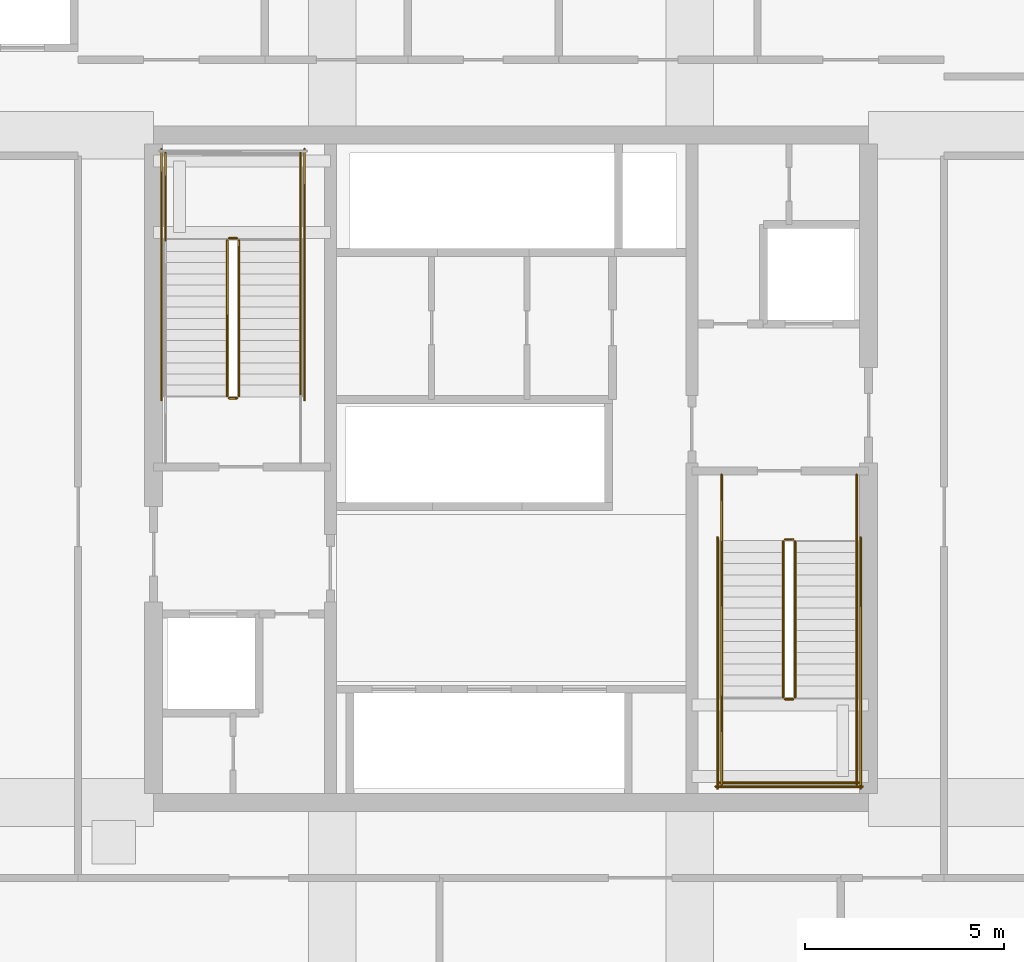
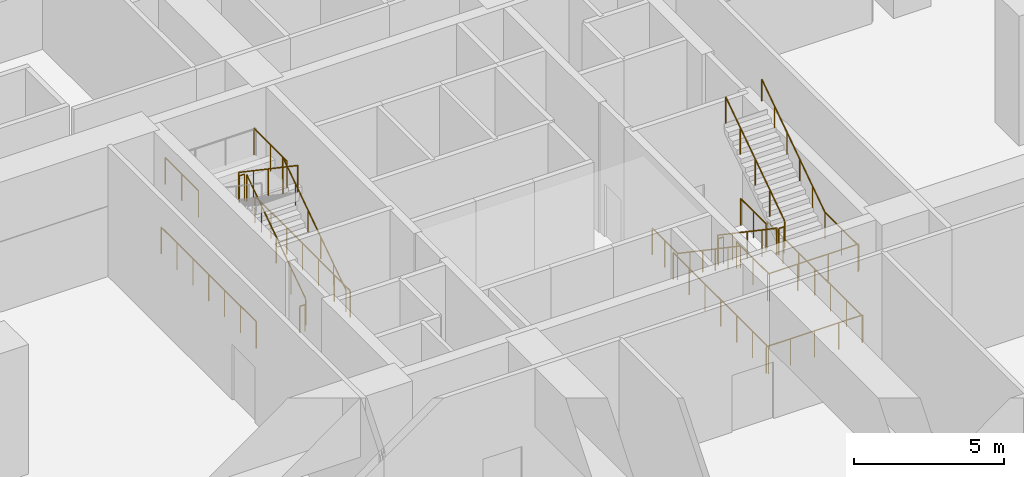
# One storey, part 8 of 9: 23 railings.
"""IFC4 building model written with IfcOpenShell, lengths in metres."""

from ifc_helpers import new_model, si_unit, direction, frame, origin, origin_2d, place, context, subcontext, project, spatial, circle, extrude, material, type_object, element, save


model = new_model("IFC4")

# Units and contexts
model_context = context("Model", 3, precision=1e-05, world=origin(), true_north=direction((0.0, 1.0)))
body_context = subcontext(model_context, "Body", "Model", "MODEL_VIEW")
ifc_project = project(units=[si_unit("LENGTHUNIT", "METRE"), si_unit("AREAUNIT", "SQUARE_METRE"), si_unit("VOLUMEUNIT", "CUBIC_METRE"), si_unit("PLANEANGLEUNIT", "RADIAN"), si_unit("MASSUNIT", "GRAM", prefix="KILO")], contexts=[model_context])

# Site, building, storey
site_placement = place(None, origin())
site = spatial("IfcSite", under=ifc_project, at=site_placement, CompositionType="ELEMENT")
building_placement = place(site_placement, origin())
building = spatial("IfcBuilding", under=site, at=building_placement, Name="Serunith Strait Residences", CompositionType="ELEMENT")
storey_placement = place(building_placement, frame((0.0, 0.0, 21.0)))
storey = spatial("IfcBuildingStorey", under=building, at=storey_placement, Name="L04", CompositionType="ELEMENT", Elevation=21.0)

# Railings
ifc_material = material(Name="Brushed stainless steel 316L", Category="steel")
railing_type_1 = type_object("IfcRailingType", Name="RLG-STAIR-GUARD", PredefinedType="BALUSTRADE", material=ifc_material)
railing_1_placement = place(storey_placement, frame((25.550048828125, 27.030029296875, 0.18994140625)))
element("IfcRailing", 1, at=railing_1_placement, inside=storey, type_object=railing_type_1, Name="L04 ST-1 stair guard 1", PredefinedType="BALUSTRADE", context=body_context, shape_type="SweptSolid", body=[
    extrude(circle(Radius=0.02392578125, at=origin_2d()), frame((0.0, 0.001708984375, 1.0771484375), z_axis=(0.0, 0.827455249626, 0.561531664171), x_axis=(-1.0, 0.0, 0.0)), (0.0, 0.0, 1.0), 4.7333984375),
    extrude(circle(Radius=0.02099609375, at=origin_2d()), origin(), (0.0, 0.0, 1.0), 1.050048828125),
    extrude(circle(Radius=0.02099609375, at=origin_2d()), frame((0.0, 0.97998046875, 0.6650390625)), (0.0, 0.0, 1.0), 1.050048828125),
    extrude(circle(Radius=0.02099609375, at=origin_2d()), frame((0.0, 1.9599609375, 1.330078125)), (0.0, 0.0, 1.0), 1.050048828125),
    extrude(circle(Radius=0.02099609375, at=origin_2d()), frame((0.0, 2.93994140625, 1.9951171875)), (0.0, 0.0, 1.0), 1.050048828125),
    extrude(circle(Radius=0.02099609375, at=origin_2d()), frame((0.0, 3.919921875, 2.66015625)), (0.0, 0.0, 1.0), 1.050048828125),
])
railing_2_placement = place(storey_placement, frame((25.5, 31.0, 2.85009765625)))
element("IfcRailing", 2, at=railing_2_placement, inside=storey, type_object=railing_type_1, Name="L04 ST-1 stair guard 2", PredefinedType="BALUSTRADE", context=body_context, shape_type="SweptSolid", body=[
    extrude(circle(Radius=0.02392578125, at=origin_2d()), frame((-0.001953125, 0.0, 1.076171875), z_axis=(-1.0, 0.0, 0.0), x_axis=(0.0, -1.0, 0.0)), (0.0, 0.0, 1.0), 0.196044921875),
    extrude(circle(Radius=0.02099609375, at=origin_2d()), origin(), (0.0, 0.0, 1.0), 1.050048828125),
    extrude(circle(Radius=0.02099609375, at=origin_2d()), frame((-0.199951171875, 0.0, 0.0)), (0.0, 0.0, 1.0), 1.050048828125),
])
for number, where, name in (
    (3, (27.10009765625, 30.949951171875, 2.85009765625), "L04 ST-1 stair guard 3"),
    (4, (23.699951171875, 30.949951171875, 2.85009765625), "L04 ST-1 stair guard 4"),
):
    element("IfcRailing", number, at=place(storey_placement, frame(where)), inside=storey, type_object=railing_type_1, Name=name, PredefinedType="BALUSTRADE", context=body_context, shape_type="SweptSolid", body=[
        extrude(circle(Radius=0.02392578125, at=origin_2d()), frame((0.0, 0.001953125, 1.076171875), z_axis=(0.0, 1.0, 0.0), x_axis=(-1.0, 0.0, 0.0)), (0.0, 0.0, 1.0), 2.196044921875),
        extrude(circle(Radius=0.02099609375, at=origin_2d()), origin(), (0.0, 0.0, 1.0), 1.050048828125),
        extrude(circle(Radius=0.02099609375, at=origin_2d()), frame((0.0, 1.10009765625, 0.0)), (0.0, 0.0, 1.0), 1.050048828125),
        extrude(circle(Radius=0.02099609375, at=origin_2d()), frame((0.0, 2.199951171875, 0.0)), (0.0, 0.0, 1.0), 1.050048828125),
    ])
railing_3_placement = place(storey_placement, frame((25.25, 30.949951171875, 3.0400390625)))
element("IfcRailing", 5, at=railing_3_placement, inside=storey, type_object=railing_type_1, Name="L04 ST-1 stair guard 6", PredefinedType="BALUSTRADE", context=body_context, shape_type="SweptSolid", body=[
    extrude(circle(Radius=0.02392578125, at=origin_2d()), frame((0.0, -0.001708984375, 1.0771484375), z_axis=(0.0, -0.827479195178, 0.561496377146), x_axis=(1.0, 0.0, 0.0)), (0.0, 0.0, 1.0), 4.733154296875),
    extrude(circle(Radius=0.02099609375, at=origin_2d()), origin(), (0.0, 0.0, 1.0), 1.050048828125),
    extrude(circle(Radius=0.02099609375, at=origin_2d()), frame((0.0, -0.97998046875, 0.6650390625)), (0.0, 0.0, 1.0), 1.050048828125),
    extrude(circle(Radius=0.02099609375, at=origin_2d()), frame((0.0, -1.9599609375, 1.330078125)), (0.0, 0.0, 1.0), 1.050048828125),
    extrude(circle(Radius=0.02099609375, at=origin_2d()), frame((0.0, -2.93994140625, 1.994873046875)), (0.0, 0.0, 1.0), 1.050048828125),
    extrude(circle(Radius=0.02099609375, at=origin_2d()), frame((0.0, -3.919921875, 2.659912109375)), (0.0, 0.0, 1.0), 1.050048828125),
])
railing_4_placement = place(storey_placement, frame((25.5, 26.97998046875, 0.0)))
element("IfcRailing", 6, at=railing_4_placement, inside=storey, type_object=railing_type_1, Name="L04 ST-1 stair guard 7", PredefinedType="BALUSTRADE", context=body_context, shape_type="SweptSolid", body=[
    extrude(circle(Radius=0.02392578125, at=origin_2d()), frame((-0.001953125, 0.0, 1.076171875), z_axis=(-1.0, 0.0, 0.0), x_axis=(0.0, -1.0, 0.0)), (0.0, 0.0, 1.0), 0.196044921875),
    extrude(circle(Radius=0.02099609375, at=origin_2d()), origin(), (0.0, 0.0, 1.0), 1.050048828125),
    extrude(circle(Radius=0.02099609375, at=origin_2d()), frame((-0.199951171875, 0.0, 0.0)), (0.0, 0.0, 1.0), 1.050048828125),
])
for number, where, name in (
    (7, (27.199951171875, 26.929931640625, 0.0), "L04 ST-1 stair guard 10"),
    (8, (23.60009765625, 26.929931640625, 0.0), "L04 ST-1 stair guard 11"),
):
    element("IfcRailing", number, at=place(storey_placement, frame(where)), inside=storey, type_object=railing_type_1, Name=name, PredefinedType="BALUSTRADE", context=body_context, shape_type="SweptSolid", body=[
        extrude(circle(Radius=0.02392578125, at=origin_2d()), frame((0.0, 0.001953125, 1.076171875), z_axis=(0.0, 1.0, 0.0), x_axis=(-1.0, 0.0, 0.0)), (0.0, 0.0, 1.0), 6.316162109375),
        extrude(circle(Radius=0.02099609375, at=origin_2d()), origin(), (0.0, 0.0, 1.0), 1.050048828125),
        extrude(circle(Radius=0.02099609375, at=origin_2d()), frame((0.0, 1.05322265625, 0.0)), (0.0, 0.0, 1.0), 1.050048828125),
        extrude(circle(Radius=0.02099609375, at=origin_2d()), frame((0.0, 2.106689453125, 0.0)), (0.0, 0.0, 1.0), 1.050048828125),
        extrude(circle(Radius=0.02099609375, at=origin_2d()), frame((0.0, 3.16015625, 0.0)), (0.0, 0.0, 1.0), 1.050048828125),
        extrude(circle(Radius=0.02099609375, at=origin_2d()), frame((0.0, 4.21337890625, 0.0)), (0.0, 0.0, 1.0), 1.050048828125),
        extrude(circle(Radius=0.02099609375, at=origin_2d()), frame((0.0, 5.2666015625, 0.0)), (0.0, 0.0, 1.0), 1.050048828125),
        extrude(circle(Radius=0.02099609375, at=origin_2d()), frame((0.0, 6.320068359375, 0.0)), (0.0, 0.0, 1.0), 1.050048828125),
    ])
railing_5_placement = place(storey_placement, frame((39.25, 23.3701171875, 0.18994140625)))
element("IfcRailing", 9, at=railing_5_placement, inside=storey, type_object=railing_type_1, Name="L04 ST-2 stair guard 1", PredefinedType="BALUSTRADE", context=body_context, shape_type="SweptSolid", body=[
    extrude(circle(Radius=0.02392578125, at=origin_2d()), frame((0.0, -0.001708984375, 1.0771484375), z_axis=(0.0, -0.827471498672, 0.561507719346), x_axis=(1.0, 0.0, 0.0)), (0.0, 0.0, 1.0), 4.733642578125),
    extrude(circle(Radius=0.02099609375, at=origin_2d()), origin(), (0.0, 0.0, 1.0), 1.050048828125),
    extrude(circle(Radius=0.02099609375, at=origin_2d()), frame((0.0, -0.97998046875, 0.6650390625)), (0.0, 0.0, 1.0), 1.050048828125),
    extrude(circle(Radius=0.02099609375, at=origin_2d()), frame((0.0, -1.9599609375, 1.330078125)), (0.0, 0.0, 1.0), 1.050048828125),
    extrude(circle(Radius=0.02099609375, at=origin_2d()), frame((0.0, -2.940185546875, 1.9951171875)), (0.0, 0.0, 1.0), 1.050048828125),
    extrude(circle(Radius=0.02099609375, at=origin_2d()), frame((0.0, -3.920166015625, 2.66015625)), (0.0, 0.0, 1.0), 1.050048828125),
])
railing_6_placement = place(storey_placement, frame((39.300048828125, 19.39990234375, 2.85009765625)))
element("IfcRailing", 10, at=railing_6_placement, inside=storey, type_object=railing_type_1, Name="L04 ST-2 stair guard 2", PredefinedType="BALUSTRADE", context=body_context, shape_type="SweptSolid", body=[
    extrude(circle(Radius=0.02392578125, at=origin_2d()), frame((0.001953125, 0.0, 1.076171875), z_axis=(1.0, 0.0, 0.0), x_axis=(0.0, 1.0, 0.0)), (0.0, 0.0, 1.0), 0.196044921875),
    extrude(circle(Radius=0.02099609375, at=origin_2d()), origin(), (0.0, 0.0, 1.0), 1.050048828125),
    extrude(circle(Radius=0.02099609375, at=origin_2d()), frame((0.199951171875, 0.0, 0.0)), (0.0, 0.0, 1.0), 1.050048828125),
])
for number, where, name in (
    (11, (37.699951171875, 19.449951171875, 2.85009765625), "L04 ST-2 stair guard 3"),
    (12, (41.10009765625, 19.449951171875, 2.85009765625), "L04 ST-2 stair guard 4"),
):
    element("IfcRailing", number, at=place(storey_placement, frame(where)), inside=storey, type_object=railing_type_1, Name=name, PredefinedType="BALUSTRADE", context=body_context, shape_type="SweptSolid", body=[
        extrude(circle(Radius=0.02392578125, at=origin_2d()), frame((0.0, -0.001953125, 1.076171875), z_axis=(0.0, -1.0, 0.0), x_axis=(1.0, 0.0, 0.0)), (0.0, 0.0, 1.0), 2.196044921875),
        extrude(circle(Radius=0.02099609375, at=origin_2d()), origin(), (0.0, 0.0, 1.0), 1.050048828125),
        extrude(circle(Radius=0.02099609375, at=origin_2d()), frame((0.0, -1.10009765625, 0.0)), (0.0, 0.0, 1.0), 1.050048828125),
        extrude(circle(Radius=0.02099609375, at=origin_2d()), frame((0.0, -2.199951171875, 0.0)), (0.0, 0.0, 1.0), 1.050048828125),
    ])
railing_7_placement = place(storey_placement, frame((37.64990234375, 17.300048828125, 2.85009765625)))
element("IfcRailing", 13, at=railing_7_placement, inside=storey, type_object=railing_type_1, Name="L04 ST-2 stair guard 5", PredefinedType="BALUSTRADE", context=body_context, shape_type="SweptSolid", body=[
    extrude(circle(Radius=0.02392578125, at=origin_2d()), frame((0.001953125, 0.0, 1.076171875), z_axis=(1.0, 0.0, 0.0), x_axis=(0.0, 1.0, 0.0)), (0.0, 0.0, 1.0), 3.49609375),
    extrude(circle(Radius=0.02099609375, at=origin_2d()), origin(), (0.0, 0.0, 1.0), 1.050048828125),
    extrude(circle(Radius=0.02099609375, at=origin_2d()), frame((1.166748046875, 0.0, 0.0)), (0.0, 0.0, 1.0), 1.050048828125),
    extrude(circle(Radius=0.02099609375, at=origin_2d()), frame((2.333251953125, 0.0, 0.0)), (0.0, 0.0, 1.0), 1.050048828125),
    extrude(circle(Radius=0.02099609375, at=origin_2d()), frame((3.5, 0.0, 0.0)), (0.0, 0.0, 1.0), 1.050048828125),
])
railing_8_placement = place(storey_placement, frame((39.550048828125, 19.449951171875, 3.0400390625)))
element("IfcRailing", 14, at=railing_8_placement, inside=storey, type_object=railing_type_1, Name="L04 ST-2 stair guard 6", PredefinedType="BALUSTRADE", context=body_context, shape_type="SweptSolid", body=[
    extrude(circle(Radius=0.02392578125, at=origin_2d()), frame((0.0, 0.001708984375, 1.0771484375), z_axis=(0.0, 0.827495442652, 0.56147243244), x_axis=(-1.0, 0.0, 0.0)), (0.0, 0.0, 1.0), 4.7333984375),
    extrude(circle(Radius=0.02099609375, at=origin_2d()), origin(), (0.0, 0.0, 1.0), 1.050048828125),
    extrude(circle(Radius=0.02099609375, at=origin_2d()), frame((0.0, 0.97998046875, 0.6650390625)), (0.0, 0.0, 1.0), 1.050048828125),
    extrude(circle(Radius=0.02099609375, at=origin_2d()), frame((0.0, 1.9599609375, 1.330078125)), (0.0, 0.0, 1.0), 1.050048828125),
    extrude(circle(Radius=0.02099609375, at=origin_2d()), frame((0.0, 2.940185546875, 1.994873046875)), (0.0, 0.0, 1.0), 1.050048828125),
    extrude(circle(Radius=0.02099609375, at=origin_2d()), frame((0.0, 3.920166015625, 2.659912109375)), (0.0, 0.0, 1.0), 1.050048828125),
])
railing_9_placement = place(storey_placement, frame((39.300048828125, 23.419921875, 0.0)))
element("IfcRailing", 15, at=railing_9_placement, inside=storey, type_object=railing_type_1, Name="L04 ST-2 stair guard 7", PredefinedType="BALUSTRADE", context=body_context, shape_type="SweptSolid", body=[
    extrude(circle(Radius=0.02392578125, at=origin_2d()), frame((0.001953125, 0.0, 1.076171875), z_axis=(1.0, 0.0, 0.0), x_axis=(0.0, 1.0, 0.0)), (0.0, 0.0, 1.0), 0.196044921875),
    extrude(circle(Radius=0.02099609375, at=origin_2d()), origin(), (0.0, 0.0, 1.0), 1.050048828125),
    extrude(circle(Radius=0.02099609375, at=origin_2d()), frame((0.199951171875, 0.0, 0.0)), (0.0, 0.0, 1.0), 1.050048828125),
])
for number, where, name in (
    (16, (37.699951171875, 25.050048828125, 0.0), "L04 ST-2 stair guard 8"),
    (17, (41.10009765625, 25.050048828125, 0.0), "L04 ST-2 stair guard 9"),
):
    element("IfcRailing", number, at=place(storey_placement, frame(where)), inside=storey, type_object=railing_type_1, Name=name, PredefinedType="BALUSTRADE", context=body_context, shape_type="SweptSolid", body=[
        extrude(circle(Radius=0.02392578125, at=origin_2d()), frame((0.0, -0.001953125, 1.076171875), z_axis=(0.0, -1.0, 0.0), x_axis=(1.0, 0.0, 0.0)), (0.0, 0.0, 1.0), 1.676025390625),
        extrude(circle(Radius=0.02099609375, at=origin_2d()), origin(), (0.0, 0.0, 1.0), 1.050048828125),
        extrude(circle(Radius=0.02099609375, at=origin_2d()), frame((0.0, -0.83984375, 0.0)), (0.0, 0.0, 1.0), 1.050048828125),
        extrude(circle(Radius=0.02099609375, at=origin_2d()), frame((0.0, -1.679931640625, 0.0)), (0.0, 0.0, 1.0), 1.050048828125),
    ])
for number, where, name in (
    (18, (37.60009765625, 23.469970703125, 0.0), "L04 ST-2 stair guard 10"),
    (19, (41.199951171875, 23.469970703125, 0.0), "L04 ST-2 stair guard 11"),
):
    element("IfcRailing", number, at=place(storey_placement, frame(where)), inside=storey, type_object=railing_type_1, Name=name, PredefinedType="BALUSTRADE", context=body_context, shape_type="SweptSolid", body=[
        extrude(circle(Radius=0.02392578125, at=origin_2d()), frame((0.0, -0.001953125, 1.076171875), z_axis=(0.0, -1.0, 0.0), x_axis=(1.0, 0.0, 0.0)), (0.0, 0.0, 1.0), 6.316162109375),
        extrude(circle(Radius=0.02099609375, at=origin_2d()), origin(), (0.0, 0.0, 1.0), 1.050048828125),
        extrude(circle(Radius=0.02099609375, at=origin_2d()), frame((0.0, -1.05322265625, 0.0)), (0.0, 0.0, 1.0), 1.050048828125),
        extrude(circle(Radius=0.02099609375, at=origin_2d()), frame((0.0, -2.106689453125, 0.0)), (0.0, 0.0, 1.0), 1.050048828125),
        extrude(circle(Radius=0.02099609375, at=origin_2d()), frame((0.0, -3.16015625, 0.0)), (0.0, 0.0, 1.0), 1.050048828125),
        extrude(circle(Radius=0.02099609375, at=origin_2d()), frame((0.0, -4.21337890625, 0.0)), (0.0, 0.0, 1.0), 1.050048828125),
        extrude(circle(Radius=0.02099609375, at=origin_2d()), frame((0.0, -5.2666015625, 0.0)), (0.0, 0.0, 1.0), 1.050048828125),
        extrude(circle(Radius=0.02099609375, at=origin_2d()), frame((0.0, -6.320068359375, 0.0)), (0.0, 0.0, 1.0), 1.050048828125),
    ])
railing_10_placement = place(storey_placement, frame((37.550048828125, 17.199951171875, 0.0)))
element("IfcRailing", 20, at=railing_10_placement, inside=storey, type_object=railing_type_1, Name="L04 ST-2 stair guard 12", PredefinedType="BALUSTRADE", context=body_context, shape_type="SweptSolid", body=[
    extrude(circle(Radius=0.02392578125, at=origin_2d()), frame((0.001953125, 0.0, 1.076171875), z_axis=(1.0, 0.0, 0.0), x_axis=(0.0, 1.0, 0.0)), (0.0, 0.0, 1.0), 3.696044921875),
    extrude(circle(Radius=0.02099609375, at=origin_2d()), origin(), (0.0, 0.0, 1.0), 1.050048828125),
    extrude(circle(Radius=0.02099609375, at=origin_2d()), frame((0.925048828125, 0.0, 0.0)), (0.0, 0.0, 1.0), 1.050048828125),
    extrude(circle(Radius=0.02099609375, at=origin_2d()), frame((1.85009765625, 0.0, 0.0)), (0.0, 0.0, 1.0), 1.050048828125),
    extrude(circle(Radius=0.02099609375, at=origin_2d()), frame((2.77490234375, 0.0, 0.0)), (0.0, 0.0, 1.0), 1.050048828125),
    extrude(circle(Radius=0.02099609375, at=origin_2d()), frame((3.699951171875, 0.0, 0.0)), (0.0, 0.0, 1.0), 1.050048828125),
])
railing_type_2 = type_object("IfcRailingType", Name="RLG-STAIR-HR", PredefinedType="HANDRAIL", material=ifc_material)
railing_11_placement = place(storey_placement, frame((27.10009765625, 27.030029296875, 0.18994140625)))
element("IfcRailing", 21, at=railing_11_placement, inside=storey, type_object=railing_type_2, Name="L04 ST-1 stair handrail 1", PredefinedType="HANDRAIL", context=body_context, shape_type="SweptSolid", body=[
    extrude(circle(Radius=0.02392578125, at=origin_2d()), frame((0.0, 0.001708984375, 0.876953125), z_axis=(0.0, 0.827016801072, 0.562177205821), x_axis=(-1.0, 0.0, 0.0)), (0.0, 0.0, 1.0), 5.074462890625),
    extrude(circle(Radius=0.02099609375, at=origin_2d()), origin(), (0.0, 0.0, 1.0), 0.849853515625),
    extrude(circle(Radius=0.02099609375, at=origin_2d()), frame((0.0, 0.840087890625, 0.571044921875)), (0.0, 0.0, 1.0), 0.849853515625),
    extrude(circle(Radius=0.02099609375, at=origin_2d()), frame((0.0, 1.679931640625, 1.14208984375)), (0.0, 0.0, 1.0), 0.849853515625),
    extrude(circle(Radius=0.02099609375, at=origin_2d()), frame((0.0, 2.52001953125, 1.712890625)), (0.0, 0.0, 1.0), 0.849853515625),
    extrude(circle(Radius=0.02099609375, at=origin_2d()), frame((0.0, 3.35986328125, 2.283935546875)), (0.0, 0.0, 1.0), 0.849853515625),
    extrude(circle(Radius=0.02099609375, at=origin_2d()), frame((0.0, 4.199951171875, 2.85498046875)), (0.0, 0.0, 1.0), 0.849853515625),
])
railing_12_placement = place(storey_placement, frame((37.699951171875, 23.3701171875, 0.18994140625)))
element("IfcRailing", 22, at=railing_12_placement, inside=storey, type_object=railing_type_2, Name="L04 ST-2 stair handrail 1", PredefinedType="HANDRAIL", context=body_context, shape_type="SweptSolid", body=[
    extrude(circle(Radius=0.02392578125, at=origin_2d()), frame((0.0, -0.001708984375, 0.876953125), z_axis=(0.0, -0.827031993623, 0.562154855466), x_axis=(1.0, 0.0, 0.0)), (0.0, 0.0, 1.0), 5.07470703125),
    extrude(circle(Radius=0.02099609375, at=origin_2d()), origin(), (0.0, 0.0, 1.0), 0.849853515625),
    extrude(circle(Radius=0.02099609375, at=origin_2d()), frame((0.0, -0.840087890625, 0.571044921875)), (0.0, 0.0, 1.0), 0.849853515625),
    extrude(circle(Radius=0.02099609375, at=origin_2d()), frame((0.0, -1.68017578125, 1.14208984375)), (0.0, 0.0, 1.0), 0.849853515625),
    extrude(circle(Radius=0.02099609375, at=origin_2d()), frame((0.0, -2.52001953125, 1.712890625)), (0.0, 0.0, 1.0), 0.849853515625),
    extrude(circle(Radius=0.02099609375, at=origin_2d()), frame((0.0, -3.360107421875, 2.283935546875)), (0.0, 0.0, 1.0), 0.849853515625),
    extrude(circle(Radius=0.02099609375, at=origin_2d()), frame((0.0, -4.2001953125, 2.85498046875)), (0.0, 0.0, 1.0), 0.849853515625),
])
railing_13_placement = place(storey_placement, frame((41.10009765625, 19.449951171875, 3.0400390625)))
element("IfcRailing", 23, at=railing_13_placement, inside=storey, type_object=railing_type_2, Name="L04 ST-2 stair handrail 2", PredefinedType="HANDRAIL", context=body_context, shape_type="SweptSolid", body=[
    extrude(circle(Radius=0.02392578125, at=origin_2d()), frame((0.0, 0.001708984375, 0.876953125), z_axis=(0.0, 0.827016801072, 0.562177205821), x_axis=(-1.0, 0.0, 0.0)), (0.0, 0.0, 1.0), 5.074462890625),
    extrude(circle(Radius=0.02099609375, at=origin_2d()), origin(), (0.0, 0.0, 1.0), 0.849853515625),
    extrude(circle(Radius=0.02099609375, at=origin_2d()), frame((0.0, 0.840087890625, 0.571044921875)), (0.0, 0.0, 1.0), 0.849853515625),
    extrude(circle(Radius=0.02099609375, at=origin_2d()), frame((0.0, 1.679931640625, 1.14208984375)), (0.0, 0.0, 1.0), 0.849853515625),
    extrude(circle(Radius=0.02099609375, at=origin_2d()), frame((0.0, 2.52001953125, 1.712890625)), (0.0, 0.0, 1.0), 0.849853515625),
    extrude(circle(Radius=0.02099609375, at=origin_2d()), frame((0.0, 3.35986328125, 2.283935546875)), (0.0, 0.0, 1.0), 0.849853515625),
    extrude(circle(Radius=0.02099609375, at=origin_2d()), frame((0.0, 4.199951171875, 2.85498046875)), (0.0, 0.0, 1.0), 0.849853515625),
])

save(model, "model.ifc")
